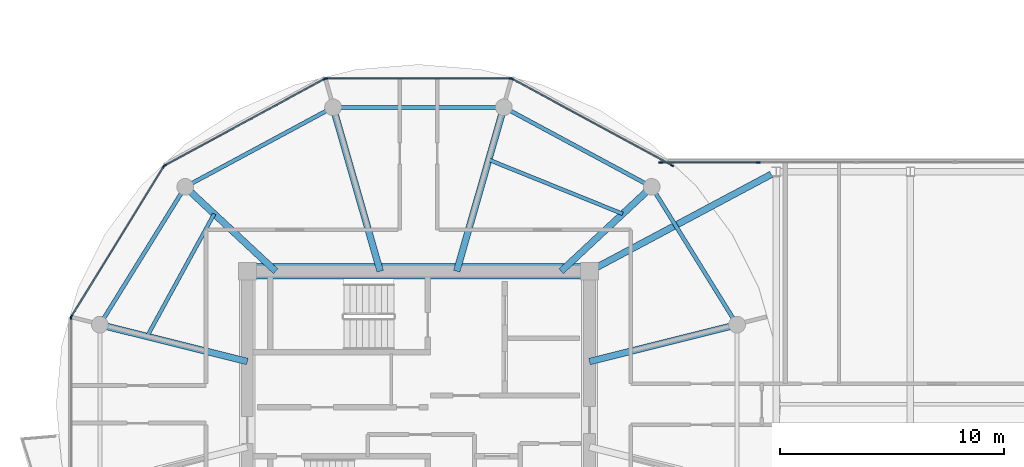
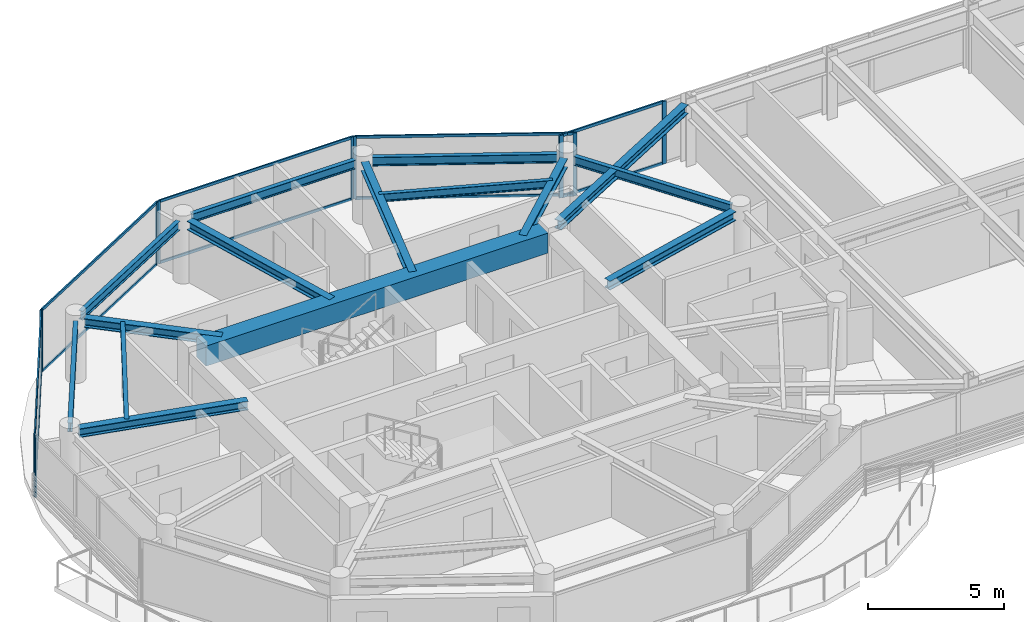
# One storey, part 5 of 23: 21 members, 15 beams, 6 elements without a shape of their own.
"""IFC4 building model written with IfcOpenShell, lengths in metres."""

from ifc_helpers import new_model, si_unit, direction, frame, origin, origin_2d, place, context, subcontext, project, spatial, rectangle, i_section, extrude, source, transform, mapped, material, layer, layer_set, material_profile, profile_set, type_object, type_shapes, element, aggregate, save


model = new_model("IFC4")

# Units and contexts
model_context = context("Model", 3, precision=1e-05, world=origin(), true_north=direction((0.0, 1.0)))
body_context = subcontext(model_context, "Body", "Model", "MODEL_VIEW")
ifc_project = project(units=[si_unit("LENGTHUNIT", "METRE"), si_unit("AREAUNIT", "SQUARE_METRE"), si_unit("VOLUMEUNIT", "CUBIC_METRE"), si_unit("PLANEANGLEUNIT", "RADIAN"), si_unit("MASSUNIT", "GRAM", prefix="KILO")], contexts=[model_context])

# Site, building, storey
site_placement = place(None, origin())
site = spatial("IfcSite", under=ifc_project, at=site_placement, CompositionType="ELEMENT")
building_placement = place(site_placement, origin())
building = spatial("IfcBuilding", under=site, at=building_placement, Name="Norrkilde Senior Care Towers", CompositionType="ELEMENT")
storey_placement = place(building_placement, frame((0.0, 0.0, 229.14990234375)))
storey = spatial("IfcBuildingStorey", under=building, at=storey_placement, Name="L71", CompositionType="ELEMENT", Elevation=229.14990234375)

# Beams
ifc_material_1 = material(Name="Concrete C60/75", Category="concrete")
ifc_material_profile_1 = material_profile(ifc_material_1, rectangle(XDim=0.699951171875, YDim=0.89990234375, at=origin_2d()), Name="RC BM 700x900")
ifc_profile_set_1 = profile_set([ifc_material_profile_1], Name="Concrete C60/75")
beam_type_1 = type_object("IfcBeamType", Name="Core Coupling Girder 700x900", PredefinedType="USERDEFINED", material=ifc_profile_set_1)
shared_shape_1 = source(origin(), body_context, "Body", "SweptSolid", [
    extrude(rectangle(XDim=0.699951171875, YDim=0.89990234375, at=origin_2d()), origin(), (0.0, 0.0, 1.0), 14.5400390625),
])
type_shapes(beam_type_1, [shared_shape_1])
beam_1_placement = place(storey_placement, frame((-35.27001953125, 5.949951171875, 2.360107421875), z_axis=(1.0, 0.0, 0.0), x_axis=(0.0, 1.0, 0.0)))
element("IfcBeam", 1, at=beam_1_placement, inside=storey, type_object=beam_type_1, Name="L71 Core W N Coupling Girder", ObjectType="GIRDER", PredefinedType="USERDEFINED", context=body_context, shape_type="MappedRepresentation", body=[
    mapped(shared_shape_1, transform((0.0, 0.0, 0.0), x_axis=(1.0, 0.0, 0.0), y_axis=(0.0, 1.0, 0.0), z_axis=(0.0, 0.0, 1.0), scale=1.0)),
])
ifc_material_2 = material(Name="Steel S355", Category="steel")
ifc_material_profile_2 = material_profile(ifc_material_2, i_section(OverallWidth=0.179931640625, OverallDepth=0.39990234375, WebThickness=0.008544921875, FlangeThickness=0.013427734375, FilletRadius=0.02099609375, at=origin_2d()), Name="IPE 400")
ifc_profile_set_2 = profile_set([ifc_material_profile_2], Name="Steel S355")
beam_type_2 = type_object("IfcBeamType", Name="Perimeter Ring Spandrel Z4 IPE400", PredefinedType="SPANDREL", material=ifc_profile_set_2)
shared_shape_2 = source(origin(), body_context, "Body", "SweptSolid", [
    extrude(i_section(OverallWidth=0.179931640625, OverallDepth=0.39990234375, WebThickness=0.008544921875, FlangeThickness=0.013427734375, FilletRadius=0.02099609375, at=origin_2d()), origin(), (0.0, 0.0, 1.0), 6.58056640625),
])
for number, where, z_axis, x_axis, name in (
    (2, (-13.928955078125, 3.843505859375, 2.610107421875), (-0.526529583789, 0.850156807533, 0.0), (-0.850156807533, -0.526529583789, 0.0), "L71 Drum W Perimeter Spandrel 01"),
    (3, (-38.606201171875, 9.43798828125, 2.610107421875), (-0.526529583789, -0.850156807533, 0.0), (0.850156807533, -0.526529583789, 0.0), "L71 Drum W Perimeter Spandrel 05"),
):
    element("IfcBeam", number, at=place(storey_placement, frame(where, z_axis=z_axis, x_axis=x_axis)), inside=storey, type_object=beam_type_2, Name=name, PredefinedType="SPANDREL", context=body_context, shape_type="MappedRepresentation", body=[
        mapped(shared_shape_2, transform((0.0, 0.0, 0.0), x_axis=(1.0, 0.0, 0.0), y_axis=(0.0, 1.0, 0.0), z_axis=(0.0, 0.0, 1.0), scale=1.0)),
    ])
ifc_material_profile_3 = material_profile(ifc_material_2, i_section(OverallWidth=0.300048828125, OverallDepth=0.39990234375, WebThickness=0.013427734375, FlangeThickness=0.02392578125, FilletRadius=0.027099609375, at=origin_2d()), Name="HEB 400")
ifc_profile_set_3 = profile_set([ifc_material_profile_3], Name="Steel S355")
beam_type_3 = type_object("IfcBeamType", Name="Radial Floor Beam Z4 HEB400", PredefinedType="BEAM", material=ifc_profile_set_3)
shared_shape_3 = source(origin(), body_context, "Body", "SweptSolid", [
    extrude(i_section(OverallWidth=0.300048828125, OverallDepth=0.39990234375, WebThickness=0.013427734375, FlangeThickness=0.02392578125, FilletRadius=0.027099609375, at=origin_2d()), origin(), (0.0, 0.0, 1.0), 6.465087890625),
])
for number, where, z_axis, x_axis, name in (
    (4, (-20.35009765625, 1.910888671875, 2.610107421875), (0.970195788563, 0.242322371758, 0.0), (-0.242322371758, 0.970195788563, 0.0), "L71 Drum W Radial Floor Beam 01"),
    (5, (-35.64990234375, 1.910888671875, 2.610107421875), (-0.970195788563, 0.242322371758, 0.0), (-0.242322371758, -0.970195788563, 0.0), "L71 Drum W Radial Floor Beam 06"),
):
    element("IfcBeam", number, at=place(storey_placement, frame(where, z_axis=z_axis, x_axis=x_axis)), inside=storey, type_object=beam_type_3, Name=name, PredefinedType="BEAM", context=body_context, shape_type="MappedRepresentation", body=[
        mapped(shared_shape_3, transform((0.0, 0.0, 0.0), x_axis=(1.0, 0.0, 0.0), y_axis=(0.0, 1.0, 0.0), z_axis=(0.0, 0.0, 1.0), scale=1.0)),
    ])
shared_shape_4 = source(origin(), body_context, "Body", "SweptSolid", [
    extrude(i_section(OverallWidth=0.179931640625, OverallDepth=0.39990234375, WebThickness=0.008544921875, FlangeThickness=0.013427734375, FilletRadius=0.02099609375, at=origin_2d()), origin(), (0.0, 0.0, 1.0), 6.839111328125),
])
for number, where, z_axis, x_axis, name in (
    (6, (-17.865234375, 9.881591796875, 2.610107421875), (-0.880563930732, 0.473927382511, 0.0), (-0.473927382511, -0.880563930732, 0.0), "L71 Drum W Perimeter Spandrel 02"),
    (7, (-32.112548828125, 13.122802734375, 2.610107421875), (-0.880563930732, -0.473927382511, 0.0), (0.473927382511, -0.880563930732, 0.0), "L71 Drum W Perimeter Spandrel 04"),
):
    element("IfcBeam", number, at=place(storey_placement, frame(where, z_axis=z_axis, x_axis=x_axis)), inside=storey, type_object=beam_type_2, Name=name, PredefinedType="SPANDREL", context=body_context, shape_type="MappedRepresentation", body=[
        mapped(shared_shape_4, transform((0.0, 0.0, 0.0), x_axis=(1.0, 0.0, 0.0), y_axis=(0.0, 1.0, 0.0), z_axis=(0.0, 0.0, 1.0), scale=1.0)),
    ])
shared_shape_5 = source(origin(), body_context, "Body", "SweptSolid", [
    extrude(i_section(OverallWidth=0.300048828125, OverallDepth=0.39990234375, WebThickness=0.013427734375, FlangeThickness=0.02392578125, FilletRadius=0.027099609375, at=origin_2d()), origin(), (0.0, 0.0, 1.0), 5.197998046875),
])
for number, where, z_axis, x_axis, name in (
    (8, (-21.6171875, 5.949951171875, 2.610107421875), (0.731448749334, 0.681896419625, 0.0), (-0.681896419625, 0.731448749334, 0.0), "L71 Drum W Radial Floor Beam 02"),
    (9, (-34.3828125, 5.949951171875, 2.610107421875), (-0.731448749334, 0.681896419625, 0.0), (-0.681896419625, -0.731448749334, 0.0), "L71 Drum W Radial Floor Beam 05"),
):
    element("IfcBeam", number, at=place(storey_placement, frame(where, z_axis=z_axis, x_axis=x_axis)), inside=storey, type_object=beam_type_3, Name=name, PredefinedType="BEAM", context=body_context, shape_type="MappedRepresentation", body=[
        mapped(shared_shape_5, transform((0.0, 0.0, 0.0), x_axis=(1.0, 0.0, 0.0), y_axis=(0.0, 1.0, 0.0), z_axis=(0.0, 0.0, 1.0), scale=1.0)),
    ])
shared_shape_6 = source(origin(), body_context, "Body", "SweptSolid", [
    extrude(i_section(OverallWidth=0.179931640625, OverallDepth=0.39990234375, WebThickness=0.008544921875, FlangeThickness=0.013427734375, FilletRadius=0.02099609375, at=origin_2d()), origin(), (0.0, 0.0, 1.0), 6.96533203125),
])
type_shapes(beam_type_2, [shared_shape_2, shared_shape_4, shared_shape_6])
beam_2_placement = place(storey_placement, frame((-24.517333984375, 13.281494140625, 2.610107421875), z_axis=(-1.0, 0.0, 0.0), x_axis=(0.0, -1.0, 0.0)))
element("IfcBeam", 10, at=beam_2_placement, inside=storey, type_object=beam_type_2, Name="L71 Drum W Perimeter Spandrel 03", PredefinedType="SPANDREL", context=body_context, shape_type="MappedRepresentation", body=[
    mapped(shared_shape_6, transform((0.0, 0.0, 0.0), x_axis=(1.0, 0.0, 0.0), y_axis=(0.0, 1.0, 0.0), z_axis=(0.0, 0.0, 1.0), scale=1.0)),
])
shared_shape_7 = source(origin(), body_context, "Body", "SweptSolid", [
    extrude(i_section(OverallWidth=0.300048828125, OverallDepth=0.39990234375, WebThickness=0.013427734375, FlangeThickness=0.02392578125, FilletRadius=0.027099609375, at=origin_2d()), origin(), (0.0, 0.0, 1.0), 7.29345703125),
])
for number, where, z_axis, x_axis, name in (
    (11, (-26.289794921875, 5.949951171875, 2.610107421875), (0.276263751906, 0.961081858836, 0.0), (-0.961081858836, 0.276263751906, 0.0), "L71 Drum W Radial Floor Beam 03"),
    (12, (-29.710205078125, 5.949951171875, 2.610107421875), (-0.276263751906, 0.961081858836, 0.0), (-0.961081858836, -0.276263751906, 0.0), "L71 Drum W Radial Floor Beam 04"),
):
    element("IfcBeam", number, at=place(storey_placement, frame(where, z_axis=z_axis, x_axis=x_axis)), inside=storey, type_object=beam_type_3, Name=name, PredefinedType="BEAM", context=body_context, shape_type="MappedRepresentation", body=[
        mapped(shared_shape_7, transform((0.0, 0.0, 0.0), x_axis=(1.0, 0.0, 0.0), y_axis=(0.0, 1.0, 0.0), z_axis=(0.0, 0.0, 1.0), scale=1.0)),
    ])
ifc_material_profile_4 = material_profile(ifc_material_2, i_section(OverallWidth=0.169921875, OverallDepth=0.360107421875, WebThickness=0.008056640625, FlangeThickness=0.0126953125, FilletRadius=0.01806640625, at=origin_2d()), Name="IPE 360")
ifc_profile_set_4 = profile_set([ifc_material_profile_4], Name="Steel S355")
beam_type_4 = type_object("IfcBeamType", Name="Secondary Floor Joist IPE360", PredefinedType="JOIST", material=ifc_profile_set_4)
shared_shape_8 = source(origin(), body_context, "Body", "SweptSolid", [
    extrude(i_section(OverallWidth=0.169921875, OverallDepth=0.360107421875, WebThickness=0.008056640625, FlangeThickness=0.0126953125, FilletRadius=0.01806640625, at=origin_2d()), origin(), (0.0, 0.0, 1.0), 6.461669921875),
])
beam_3_placement = place(storey_placement, frame((-18.865234375, 8.515380859375, 2.630126953125), z_axis=(-0.927225942298, 0.374502405772, 0.0), x_axis=(-0.374502405772, -0.927225942298, 0.0)))
element("IfcBeam", 13, at=beam_3_placement, inside=storey, type_object=beam_type_4, Name="L71 Drum W Secondary Floor Joist 1", PredefinedType="JOIST", context=body_context, shape_type="MappedRepresentation", body=[
    mapped(shared_shape_8, transform((0.0, 0.0, 0.0), x_axis=(1.0, 0.0, 0.0), y_axis=(0.0, 1.0, 0.0), z_axis=(0.0, 0.0, 1.0), scale=1.0)),
])
shared_shape_9 = source(origin(), body_context, "Body", "SweptSolid", [
    extrude(i_section(OverallWidth=0.169921875, OverallDepth=0.360107421875, WebThickness=0.008056640625, FlangeThickness=0.0126953125, FilletRadius=0.01806640625, at=origin_2d()), origin(), (0.0, 0.0, 1.0), 6.25146484375),
])
type_shapes(beam_type_4, [shared_shape_8, shared_shape_9])
beam_4_placement = place(storey_placement, frame((-37.134765625, 8.515380859375, 2.630126953125), z_axis=(-0.480115752653, -0.877205143655, 0.0), x_axis=(0.877205143655, -0.480115752653, 0.0)))
element("IfcBeam", 14, at=beam_4_placement, inside=storey, type_object=beam_type_4, Name="L71 Drum W Secondary Floor Joist 2", PredefinedType="JOIST", context=body_context, shape_type="MappedRepresentation", body=[
    mapped(shared_shape_9, transform((0.0, 0.0, 0.0), x_axis=(1.0, 0.0, 0.0), y_axis=(0.0, 1.0, 0.0), z_axis=(0.0, 0.0, 1.0), scale=1.0)),
])
shared_shape_10 = source(origin(), body_context, "Body", "SweptSolid", [
    extrude(i_section(OverallWidth=0.300048828125, OverallDepth=0.39990234375, WebThickness=0.013427734375, FlangeThickness=0.02392578125, FilletRadius=0.027099609375, at=origin_2d()), origin(), (0.0, 0.0, 1.0), 8.831787109375),
])
type_shapes(beam_type_3, [shared_shape_3, shared_shape_5, shared_shape_7, shared_shape_10])
beam_5_placement = place(storey_placement, frame((-20.0146484375, 6.128662109375, 2.610107421875), z_axis=(0.882492172381, 0.470327083727, 0.0), x_axis=(-0.470327083727, 0.882492172381, 0.0)))
element("IfcBeam", 15, at=beam_5_placement, inside=storey, type_object=beam_type_3, Name="L71 Sky-Gate Bridge Girder N1", PredefinedType="BEAM", context=body_context, shape_type="MappedRepresentation", body=[
    mapped(shared_shape_10, transform((0.0, 0.0, 0.0), x_axis=(1.0, 0.0, 0.0), y_axis=(0.0, 1.0, 0.0), z_axis=(0.0, 0.0, 1.0), scale=1.0)),
])

# Curtain wall, members
ifc_material_3 = material(Name="Triple Low-E Insulated Glazing", Category="glass")
ifc_layer_1 = layer(ifc_material_3, 0.18505859375)
ifc_layer_set_1 = layer_set([ifc_layer_1], Name="Triple Low-E Insulated Glazing")
curtain_wall_type_1 = type_object("IfcCurtainWallType", Name="CW6 Zone 4 Crown Pavilion Curtain Wall", PredefinedType="NOTDEFINED", material=ifc_layer_set_1)
curtain_wall_1_placement = place(storey_placement, origin())
curtain_wall_1 = element("IfcCurtainWall", 16, at=curtain_wall_1_placement, inside=storey, type_object=curtain_wall_type_1, Name="L71 Drum W Curtain Wall 01", PredefinedType="NOTDEFINED")
ifc_material_4 = material(Name="Anodised Aluminium", Category="aluminium")
ifc_material_profile_5 = material_profile(ifc_material_4, rectangle(XDim=0.06494140625, YDim=0.14990234375, at=origin_2d()), Name="ALU MULL 65x150")
ifc_profile_set_5 = profile_set([ifc_material_profile_5], Name="Anodised Aluminium")
member_type_1 = type_object("IfcMemberType", Name="Curtain Wall Mullion Z3-Z4 65x150", PredefinedType="MULLION", material=ifc_profile_set_5)
shared_shape_11 = source(origin(), body_context, "Body", "SweptSolid", [
    extrude(rectangle(XDim=0.06494140625, YDim=0.14990234375, at=origin_2d()), origin(), (0.0, 0.0, 1.0), 2.81005859375),
])
type_shapes(member_type_1, [shared_shape_11])
member_1_placement = place(storey_placement, frame((-23.8095703125, 14.55078125, 0.0), z_axis=(0.0, 0.0, 1.0), x_axis=(0.476132676136, 0.879373455772, 0.0)))
member_1 = element("IfcMember", 17, at=member_1_placement, type_object=member_type_1, Name="CW-6 mullion 1", PredefinedType="MULLION", context=body_context, shape_type="MappedRepresentation", body=[
    mapped(shared_shape_11, transform((0.0, 0.0, 0.0), x_axis=(1.0, 0.0, 0.0), y_axis=(0.0, 1.0, 0.0), z_axis=(0.0, 0.0, 1.0), scale=1.0)),
])
member_2_placement = place(storey_placement, frame((-16.658203125, 10.6787109375, 0.0), z_axis=(0.0, 0.0, 1.0), x_axis=(0.476132676136, 0.879373455772, 0.0)))
member_2 = element("IfcMember", 18, at=member_2_placement, type_object=member_type_1, Name="CW-6 mullion 2", PredefinedType="MULLION", context=body_context, shape_type="MappedRepresentation", body=[
    mapped(shared_shape_11, transform((0.0, 0.0, 0.0), x_axis=(1.0, 0.0, 0.0), y_axis=(0.0, 1.0, 0.0), z_axis=(0.0, 0.0, 1.0), scale=1.0)),
])

curtain_wall_2_placement = place(storey_placement, origin())
curtain_wall_2 = element("IfcCurtainWall", 19, at=curtain_wall_2_placement, inside=storey, type_object=curtain_wall_type_1, Name="L71 Drum W Curtain Wall 02", PredefinedType="NOTDEFINED")
member_3_placement = place(storey_placement, frame((-32.12939453125, 14.566162109375, 0.0), z_axis=(0.0, 0.0, 1.0), x_axis=(0.0, 1.0, 0.0)))
member_3 = element("IfcMember", 20, at=member_3_placement, type_object=member_type_1, Name="CW-6 mullion 1", PredefinedType="MULLION", context=body_context, shape_type="MappedRepresentation", body=[
    mapped(shared_shape_11, transform((0.0, 0.0, 0.0), x_axis=(1.0, 0.0, 0.0), y_axis=(0.0, 1.0, 0.0), z_axis=(0.0, 0.0, 1.0), scale=1.0)),
])
member_4_placement = place(storey_placement, frame((-23.87060546875, 14.566162109375, 0.0), z_axis=(0.0, 0.0, 1.0), x_axis=(0.0, 1.0, 0.0)))
member_4 = element("IfcMember", 21, at=member_4_placement, type_object=member_type_1, Name="CW-6 mullion 2", PredefinedType="MULLION", context=body_context, shape_type="MappedRepresentation", body=[
    mapped(shared_shape_11, transform((0.0, 0.0, 0.0), x_axis=(1.0, 0.0, 0.0), y_axis=(0.0, 1.0, 0.0), z_axis=(0.0, 0.0, 1.0), scale=1.0)),
])

curtain_wall_3_placement = place(storey_placement, origin())
curtain_wall_3 = element("IfcCurtainWall", 22, at=curtain_wall_3_placement, inside=storey, type_object=curtain_wall_type_1, Name="L71 Drum W Curtain Wall 03", PredefinedType="NOTDEFINED")
member_5_placement = place(storey_placement, frame((-39.341796875, 10.6787109375, 0.0), z_axis=(0.0, 0.0, 1.0), x_axis=(-0.476132676136, 0.879373455772, 0.0)))
member_5 = element("IfcMember", 23, at=member_5_placement, type_object=member_type_1, Name="CW-6 mullion 1", PredefinedType="MULLION", context=body_context, shape_type="MappedRepresentation", body=[
    mapped(shared_shape_11, transform((0.0, 0.0, 0.0), x_axis=(1.0, 0.0, 0.0), y_axis=(0.0, 1.0, 0.0), z_axis=(0.0, 0.0, 1.0), scale=1.0)),
])
member_6_placement = place(storey_placement, frame((-32.1904296875, 14.55078125, 0.0), z_axis=(0.0, 0.0, 1.0), x_axis=(-0.476132676136, 0.879373455772, 0.0)))
member_6 = element("IfcMember", 24, at=member_6_placement, type_object=member_type_1, Name="CW-6 mullion 2", PredefinedType="MULLION", context=body_context, shape_type="MappedRepresentation", body=[
    mapped(shared_shape_11, transform((0.0, 0.0, 0.0), x_axis=(1.0, 0.0, 0.0), y_axis=(0.0, 1.0, 0.0), z_axis=(0.0, 0.0, 1.0), scale=1.0)),
])

curtain_wall_4_placement = place(storey_placement, origin())
curtain_wall_4 = element("IfcCurtainWall", 25, at=curtain_wall_4_placement, inside=storey, type_object=curtain_wall_type_1, Name="L71 Drum W Curtain Wall 04", PredefinedType="NOTDEFINED")
member_7_placement = place(storey_placement, frame((-43.51513671875, 3.9306640625, 0.0), z_axis=(0.0, 0.0, 1.0), x_axis=(-0.851562727283, 0.524252726748, 0.0)))
member_7 = element("IfcMember", 26, at=member_7_placement, type_object=member_type_1, Name="CW-6 mullion 1", PredefinedType="MULLION", context=body_context, shape_type="MappedRepresentation", body=[
    mapped(shared_shape_11, transform((0.0, 0.0, 0.0), x_axis=(1.0, 0.0, 0.0), y_axis=(0.0, 1.0, 0.0), z_axis=(0.0, 0.0, 1.0), scale=1.0)),
])
member_8_placement = place(storey_placement, frame((-39.38720703125, 10.635498046875, 0.0), z_axis=(0.0, 0.0, 1.0), x_axis=(-0.851562727283, 0.524252726748, 0.0)))
member_8 = element("IfcMember", 27, at=member_8_placement, type_object=member_type_1, Name="CW-6 mullion 2", PredefinedType="MULLION", context=body_context, shape_type="MappedRepresentation", body=[
    mapped(shared_shape_11, transform((0.0, 0.0, 0.0), x_axis=(1.0, 0.0, 0.0), y_axis=(0.0, 1.0, 0.0), z_axis=(0.0, 0.0, 1.0), scale=1.0)),
])

# Curtain wall, member
curtain_wall_5_placement = place(storey_placement, origin())
curtain_wall_5 = element("IfcCurtainWall", 28, at=curtain_wall_5_placement, inside=storey, type_object=curtain_wall_type_1, Name="L71 Drum W Curtain Wall 05", PredefinedType="NOTDEFINED")
member_9_placement = place(storey_placement, frame((-43.531982421875, 3.87060546875, 0.0), z_axis=(0.0, 0.0, 1.0), x_axis=(-1.0, 0.0, 0.0)))
member_9 = element("IfcMember", 29, at=member_9_placement, type_object=member_type_1, Name="CW-6 mullion 2", PredefinedType="MULLION", context=body_context, shape_type="MappedRepresentation", body=[
    mapped(shared_shape_11, transform((0.0, 0.0, 0.0), x_axis=(1.0, 0.0, 0.0), y_axis=(0.0, 1.0, 0.0), z_axis=(0.0, 0.0, 1.0), scale=1.0)),
])
aggregate(curtain_wall_5, [member_9])

# Member
ifc_material_profile_6 = material_profile(ifc_material_4, rectangle(XDim=0.06005859375, YDim=0.1201171875, at=origin_2d()), Name="ALU TRAN 60x120")
ifc_profile_set_6 = profile_set([ifc_material_profile_6], Name="Anodised Aluminium")
member_type_2 = type_object("IfcMemberType", Name="Curtain Wall Transom Typical 60x120", PredefinedType="USERDEFINED", material=ifc_profile_set_6)
shared_shape_12 = source(origin(), body_context, "Body", "SweptSolid", [
    extrude(rectangle(XDim=0.06005859375, YDim=0.1201171875, at=origin_2d()), origin(), (0.0, 0.0, 1.0), 7.808837890625),
])
member_10_placement = place(storey_placement, frame((-43.498046875, 3.958251953125, 0.030029296875), z_axis=(0.524250924101, 0.851563837055, 0.0), x_axis=(-0.851563837055, 0.524250924101, 0.0)))
member_10 = element("IfcMember", 30, at=member_10_placement, type_object=member_type_2, Name="CW-6 transom 1.1", ObjectType="TRANSOM", PredefinedType="USERDEFINED", context=body_context, shape_type="MappedRepresentation", body=[
    mapped(shared_shape_12, transform((0.0, 0.0, 0.0), x_axis=(1.0, 0.0, 0.0), y_axis=(0.0, 1.0, 0.0), z_axis=(0.0, 0.0, 1.0), scale=1.0)),
])

member_11_placement = place(storey_placement, frame((-43.498046875, 3.958251953125, 2.780029296875), z_axis=(0.524250924101, 0.851563837055, 0.0), x_axis=(-0.851563837055, 0.524250924101, 0.0)))
member_11 = element("IfcMember", 31, at=member_11_placement, type_object=member_type_2, Name="CW-6 transom 1.2", ObjectType="TRANSOM", PredefinedType="USERDEFINED", context=body_context, shape_type="MappedRepresentation", body=[
    mapped(shared_shape_12, transform((0.0, 0.0, 0.0), x_axis=(1.0, 0.0, 0.0), y_axis=(0.0, 1.0, 0.0), z_axis=(0.0, 0.0, 1.0), scale=1.0)),
])

aggregate(curtain_wall_4, [member_7, member_8, member_10, member_11])

shared_shape_13 = source(origin(), body_context, "Body", "SweptSolid", [
    extrude(rectangle(XDim=0.06005859375, YDim=0.1201171875, at=origin_2d()), origin(), (0.0, 0.0, 1.0), 8.19384765625),
])
member_12_placement = place(storey_placement, frame((-32.096923828125, 14.566162109375, 0.030029296875), z_axis=(1.0, 0.0, 0.0), x_axis=(0.0, 1.0, 0.0)))
member_12 = element("IfcMember", 32, at=member_12_placement, type_object=member_type_2, Name="CW-6 transom 1.1", ObjectType="TRANSOM", PredefinedType="USERDEFINED", context=body_context, shape_type="MappedRepresentation", body=[
    mapped(shared_shape_13, transform((0.0, 0.0, 0.0), x_axis=(1.0, 0.0, 0.0), y_axis=(0.0, 1.0, 0.0), z_axis=(0.0, 0.0, 1.0), scale=1.0)),
])

member_13_placement = place(storey_placement, frame((-32.096923828125, 14.566162109375, 2.780029296875), z_axis=(1.0, 0.0, 0.0), x_axis=(0.0, 1.0, 0.0)))
member_13 = element("IfcMember", 33, at=member_13_placement, type_object=member_type_2, Name="CW-6 transom 1.2", ObjectType="TRANSOM", PredefinedType="USERDEFINED", context=body_context, shape_type="MappedRepresentation", body=[
    mapped(shared_shape_13, transform((0.0, 0.0, 0.0), x_axis=(1.0, 0.0, 0.0), y_axis=(0.0, 1.0, 0.0), z_axis=(0.0, 0.0, 1.0), scale=1.0)),
])

aggregate(curtain_wall_2, [member_3, member_4, member_12, member_13])

shared_shape_14 = source(origin(), body_context, "Body", "SweptSolid", [
    extrude(rectangle(XDim=0.06005859375, YDim=0.1201171875, at=origin_2d()), origin(), (0.0, 0.0, 1.0), 8.0673828125),
])
type_shapes(member_type_2, [shared_shape_12, shared_shape_13, shared_shape_14])
member_14_placement = place(storey_placement, frame((-23.781005859375, 14.53515625, 0.030029296875), z_axis=(0.87937750072, -0.476125205411, 0.0), x_axis=(0.476125205411, 0.87937750072, 0.0)))
member_14 = element("IfcMember", 34, at=member_14_placement, type_object=member_type_2, Name="CW-6 transom 1.1", ObjectType="TRANSOM", PredefinedType="USERDEFINED", context=body_context, shape_type="MappedRepresentation", body=[
    mapped(shared_shape_14, transform((0.0, 0.0, 0.0), x_axis=(1.0, 0.0, 0.0), y_axis=(0.0, 1.0, 0.0), z_axis=(0.0, 0.0, 1.0), scale=1.0)),
])

member_15_placement = place(storey_placement, frame((-23.781005859375, 14.53515625, 2.780029296875), z_axis=(0.87937750072, -0.476125205411, 0.0), x_axis=(0.476125205411, 0.87937750072, 0.0)))
member_15 = element("IfcMember", 35, at=member_15_placement, type_object=member_type_2, Name="CW-6 transom 1.2", ObjectType="TRANSOM", PredefinedType="USERDEFINED", context=body_context, shape_type="MappedRepresentation", body=[
    mapped(shared_shape_14, transform((0.0, 0.0, 0.0), x_axis=(1.0, 0.0, 0.0), y_axis=(0.0, 1.0, 0.0), z_axis=(0.0, 0.0, 1.0), scale=1.0)),
])

aggregate(curtain_wall_1, [member_1, member_2, member_14, member_15])

member_16_placement = place(storey_placement, frame((-39.313232421875, 10.694091796875, 0.030029296875), z_axis=(0.87937750072, 0.476125205411, 0.0), x_axis=(-0.476125205411, 0.87937750072, 0.0)))
member_16 = element("IfcMember", 36, at=member_16_placement, type_object=member_type_2, Name="CW-6 transom 1.1", ObjectType="TRANSOM", PredefinedType="USERDEFINED", context=body_context, shape_type="MappedRepresentation", body=[
    mapped(shared_shape_14, transform((0.0, 0.0, 0.0), x_axis=(1.0, 0.0, 0.0), y_axis=(0.0, 1.0, 0.0), z_axis=(0.0, 0.0, 1.0), scale=1.0)),
])

member_17_placement = place(storey_placement, frame((-39.313232421875, 10.694091796875, 2.780029296875), z_axis=(0.87937750072, 0.476125205411, 0.0), x_axis=(-0.476125205411, 0.87937750072, 0.0)))
member_17 = element("IfcMember", 37, at=member_17_placement, type_object=member_type_2, Name="CW-6 transom 1.2", ObjectType="TRANSOM", PredefinedType="USERDEFINED", context=body_context, shape_type="MappedRepresentation", body=[
    mapped(shared_shape_14, transform((0.0, 0.0, 0.0), x_axis=(1.0, 0.0, 0.0), y_axis=(0.0, 1.0, 0.0), z_axis=(0.0, 0.0, 1.0), scale=1.0)),
])

aggregate(curtain_wall_3, [member_5, member_6, member_16, member_17])

# Curtain wall, members
ifc_layer_2 = layer(ifc_material_3, 0.2099609375)
ifc_layer_set_2 = layer_set([ifc_layer_2], Name="Triple Low-E Insulated Glazing")
curtain_wall_type_2 = type_object("IfcCurtainWallType", Name="CW5 Sky-Gate Bridge Curtain Wall", PredefinedType="NOTDEFINED", material=ifc_layer_set_2)
curtain_wall_6_placement = place(storey_placement, origin())
curtain_wall_6 = element("IfcCurtainWall", 38, at=curtain_wall_6_placement, inside=storey, type_object=curtain_wall_type_2, Name="L71 Sky-Gate Bridge North Curtain Wall 1", PredefinedType="NOTDEFINED")
ifc_material_profile_7 = material_profile(ifc_material_4, rectangle(XDim=0.06494140625, YDim=0.1298828125, at=origin_2d()), Name="ALU TRAN 65x130")
ifc_profile_set_7 = profile_set([ifc_material_profile_7], Name="Anodised Aluminium")
member_type_3 = type_object("IfcMemberType", Name="Curtain Wall Transom Heavy 65x130", PredefinedType="USERDEFINED", material=ifc_profile_set_7)
shared_shape_15 = source(origin(), body_context, "Body", "SweptSolid", [
    extrude(rectangle(XDim=0.06494140625, YDim=0.1298828125, at=origin_2d()), origin(), (0.0, 0.0, 1.0), 4.294921875),
])
type_shapes(member_type_3, [shared_shape_15])
member_18_placement = place(storey_placement, frame((-17.1298828125, 10.820068359375, 0.03271484375), z_axis=(1.0, 0.0, 0.0), x_axis=(0.0, 1.0, 0.0)))
member_18 = element("IfcMember", 39, at=member_18_placement, type_object=member_type_3, Name="CW-5 transom 1.1", ObjectType="TRANSOM", PredefinedType="USERDEFINED", context=body_context, shape_type="MappedRepresentation", body=[
    mapped(shared_shape_15, transform((0.0, 0.0, 0.0), x_axis=(1.0, 0.0, 0.0), y_axis=(0.0, 1.0, 0.0), z_axis=(0.0, 0.0, 1.0), scale=1.0)),
])
member_19_placement = place(storey_placement, frame((-17.1298828125, 10.820068359375, 2.777587890625), z_axis=(1.0, 0.0, 0.0), x_axis=(0.0, 1.0, 0.0)))
member_19 = element("IfcMember", 40, at=member_19_placement, type_object=member_type_3, Name="CW-5 transom 1.2", ObjectType="TRANSOM", PredefinedType="USERDEFINED", context=body_context, shape_type="MappedRepresentation", body=[
    mapped(shared_shape_15, transform((0.0, 0.0, 0.0), x_axis=(1.0, 0.0, 0.0), y_axis=(0.0, 1.0, 0.0), z_axis=(0.0, 0.0, 1.0), scale=1.0)),
])
ifc_material_profile_8 = material_profile(ifc_material_4, rectangle(XDim=0.070068359375, YDim=0.169921875, at=origin_2d()), Name="ALU MULL 70x170")
ifc_profile_set_8 = profile_set([ifc_material_profile_8], Name="Anodised Aluminium")
member_type_4 = type_object("IfcMemberType", Name="Curtain Wall Mullion Heavy 70x170", PredefinedType="MULLION", material=ifc_profile_set_8)
shared_shape_16 = source(origin(), body_context, "Body", "SweptSolid", [
    extrude(rectangle(XDim=0.070068359375, YDim=0.169921875, at=origin_2d()), origin(), (0.0, 0.0, 1.0), 2.81005859375),
])
type_shapes(member_type_4, [shared_shape_16])
member_20_placement = place(storey_placement, frame((-17.1650390625, 10.820068359375, 0.0), z_axis=(0.0, 0.0, 1.0), x_axis=(0.0, 1.0, 0.0)))
member_20 = element("IfcMember", 41, at=member_20_placement, type_object=member_type_4, Name="CW-5 mullion 1", PredefinedType="MULLION", context=body_context, shape_type="MappedRepresentation", body=[
    mapped(shared_shape_16, transform((0.0, 0.0, 0.0), x_axis=(1.0, 0.0, 0.0), y_axis=(0.0, 1.0, 0.0), z_axis=(0.0, 0.0, 1.0), scale=1.0)),
])
member_21_placement = place(storey_placement, frame((-12.800048828125, 10.820068359375, 0.0), z_axis=(0.0, 0.0, 1.0), x_axis=(0.0, 1.0, 0.0)))
member_21 = element("IfcMember", 42, at=member_21_placement, type_object=member_type_4, Name="CW-5 mullion 2", PredefinedType="MULLION", context=body_context, shape_type="MappedRepresentation", body=[
    mapped(shared_shape_16, transform((0.0, 0.0, 0.0), x_axis=(1.0, 0.0, 0.0), y_axis=(0.0, 1.0, 0.0), z_axis=(0.0, 0.0, 1.0), scale=1.0)),
])
aggregate(curtain_wall_6, [member_20, member_21, member_18, member_19])

save(model, "model.ifc")
